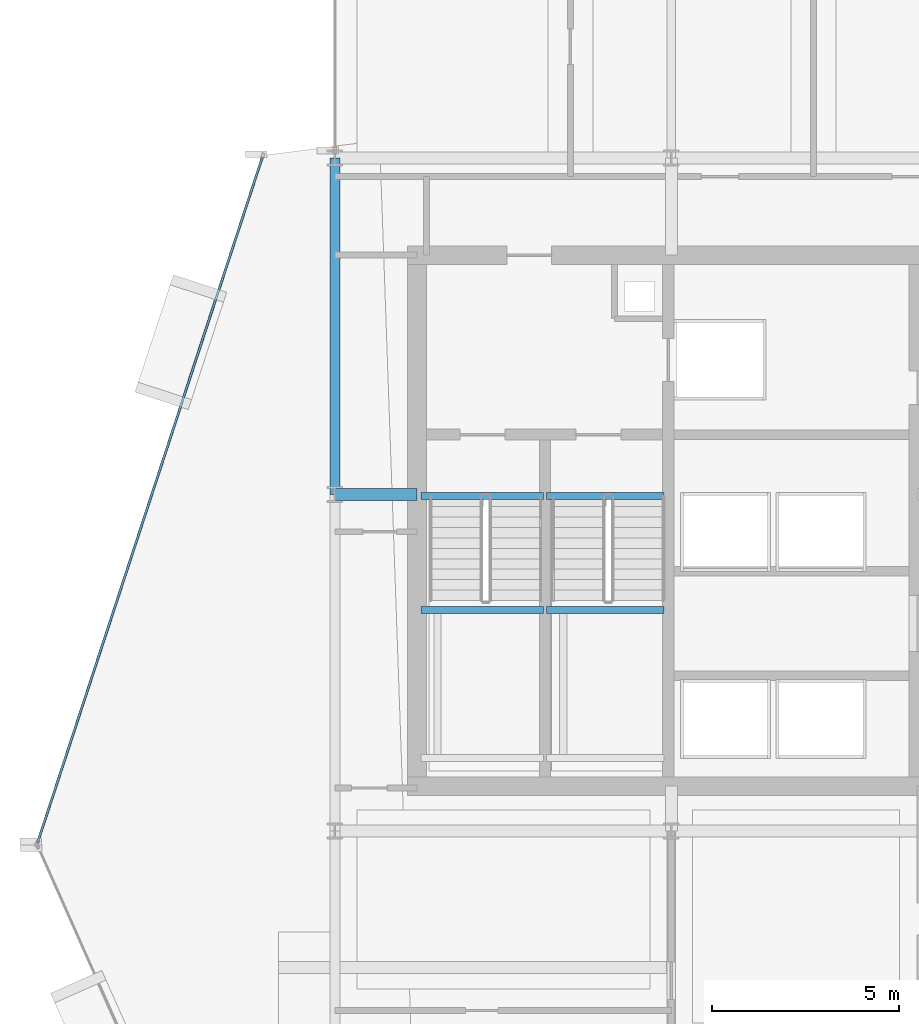
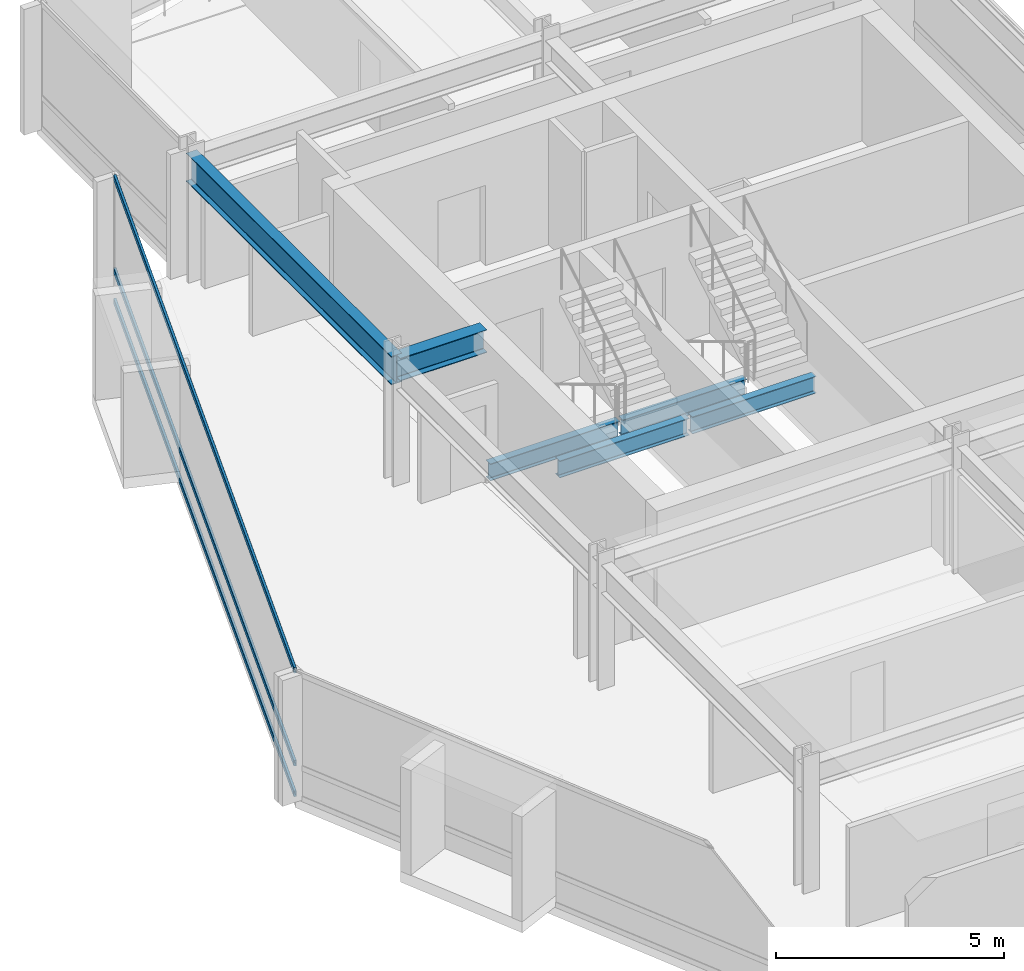
# One storey, part 15 of 29: 6 beams, 3 members, 1 element without a shape of its own.
"""IFC4 building model written with IfcOpenShell, lengths in metres."""

import ifcopenshell
import ifcopenshell.guid

model = None  # the IFC model being written
_history = None  # IfcOwnerHistory: only IFC2X3 demands one
_inside = {}  # id of a spatial element -> (the spatial element, [elements in it])
_under = {}  # id of a project, library or spatial element -> (it, [spatial elements below it])
_declared = {}  # id of a project -> (the project, [libraries it declares])
_typed = {}  # id of a type object -> (the type object, [elements of that type])
_made_of = {}  # id of a material, layer set ... -> (it, [elements and type objects made of it])


def new_model(schema):
    """Start an empty IFC model of exactly this schema.

    Asked for "IFC4X3", IfcOpenShell would pick the latest addendum, in which some entities
    have other attributes; the version numbers below select the first issue.
    IFC2X3 requires an IfcOwnerHistory on every rooted entity: one is made here for all.
    """
    global model, _history
    if schema == "IFC4X3":
        model = ifcopenshell.file(schema_version=(4, 3, 0, 0))
    else:
        model = ifcopenshell.file(schema=schema)
    _inside.clear()
    _under.clear()
    _declared.clear()
    _typed.clear()
    _made_of.clear()
    _history = None
    if model.schema == "IFC2X3":
        org = make("IfcOrganization", Name="unknown")
        user = make(
            "IfcPersonAndOrganization",
            ThePerson=make("IfcPerson", FamilyName="unknown"),
            TheOrganization=org,
        )
        app = make(
            "IfcApplication",
            ApplicationDeveloper=org,
            Version="unknown",
            ApplicationFullName="unknown",
            ApplicationIdentifier="unknown",
        )
        _history = make(
            "IfcOwnerHistory",
            OwningUser=user,
            OwningApplication=app,
            ChangeAction="ADDED",
            CreationDate=0,
        )
    return model


def make(cls, **values):
    """One entity of the class cls with the attributes given. An attribute that is None is left unset."""
    return model.create_entity(
        cls, **{name: value for name, value in values.items() if value is not None}
    )


def rooted(cls, **values):
    """An entity with a GlobalId (a new one), such as an element, a storey or a relation."""
    return make(cls, GlobalId=ifcopenshell.guid.new(), OwnerHistory=_history, **values)


def si_unit(unit_type, name, prefix=None):
    """IfcSIUnit, for example si_unit("LENGTHUNIT", "METRE", prefix="MILLI")."""
    return make("IfcSIUnit", UnitType=unit_type, Prefix=prefix, Name=name)


def assignment(units):
    """IfcUnitAssignment: the units of a project."""
    return None if units is None else make("IfcUnitAssignment", Units=units)


def point(xyz):
    """IfcCartesianPoint."""
    return None if xyz is None else make("IfcCartesianPoint", Coordinates=xyz)


def direction(xyz):
    """IfcDirection."""
    return None if xyz is None else make("IfcDirection", DirectionRatios=xyz)


def frame(location, z_axis=None, x_axis=None):
    """IfcAxis2Placement3D, a coordinate frame: its origin and axes. An axis left out is left unset."""
    return make(
        "IfcAxis2Placement3D",
        Location=point(location),
        Axis=direction(z_axis),
        RefDirection=direction(x_axis),
    )


def frame_2d(location, x_axis=None):
    """IfcAxis2Placement2D, a coordinate frame in the plane: its origin and x axis."""
    return make(
        "IfcAxis2Placement2D", Location=point(location), RefDirection=direction(x_axis)
    )


def origin():
    """The frame at (0, 0, 0) with its axes left unset."""
    return frame((0.0, 0.0, 0.0))


def origin_2d():
    """The frame at (0, 0) in the plane with its x axis left unset."""
    return frame_2d((0.0, 0.0))


def place(relative_to, where):
    """IfcLocalPlacement: puts the frame where relative to a parent placement (None: the world)."""
    return make(
        "IfcLocalPlacement", PlacementRelTo=relative_to, RelativePlacement=where
    )


def context(
    kind, dimensions, precision=None, world=None, true_north=None, identifier=None
):
    """IfcGeometricRepresentationContext, for example the 3D "Model" context."""
    return make(
        "IfcGeometricRepresentationContext",
        ContextIdentifier=identifier,
        ContextType=kind,
        CoordinateSpaceDimension=dimensions,
        Precision=precision,
        WorldCoordinateSystem=world,
        TrueNorth=true_north,
    )


def subcontext(parent, identifier, kind, view, scale=None):
    """IfcGeometricRepresentationSubContext, for example "Body" below "Model"."""
    return make(
        "IfcGeometricRepresentationSubContext",
        ContextIdentifier=identifier,
        ContextType=kind,
        ParentContext=parent,
        TargetScale=scale,
        TargetView=view,
    )


def project(units=None, contexts=None):
    """IfcProject with its units and contexts."""
    return rooted(
        "IfcProject",
        Name="project",
        RepresentationContexts=contexts,
        UnitsInContext=assignment(units),
    )


def spatial(cls, under=None, at=None, **own):
    """A site, building, storey or space (cls), placed at a placement, below another one or the project."""
    s = rooted(cls, ObjectPlacement=at, **own)
    if under is not None:
        _under.setdefault(under.id(), (under, []))[1].append(s)
    return s


def profile(cls, at=None, kind="AREA", **sizes):
    """A parametric profile (cls). Its sizes go by their IFC names, for example OverallWidth=200.0."""
    return make(cls, ProfileType=kind, Position=at, **sizes)


def hollow_rectangle(**sizes):
    """IfcRectangleHollowProfileDef."""
    return profile("IfcRectangleHollowProfileDef", **sizes)


def i_section(**sizes):
    """IfcIShapeProfileDef."""
    return profile("IfcIShapeProfileDef", **sizes)


def extrude(swept, where, along, depth):
    """IfcExtrudedAreaSolid: the profile swept, set in the frame where, extruded along a direction by depth."""
    return make(
        "IfcExtrudedAreaSolid",
        SweptArea=swept,
        Position=where,
        ExtrudedDirection=direction(along),
        Depth=depth,
    )


def shape(context_of_items, identifier, shape_type, items):
    """IfcShapeRepresentation: the items that make up one representation, for example the "Body"."""
    return make(
        "IfcShapeRepresentation",
        ContextOfItems=context_of_items,
        RepresentationIdentifier=identifier,
        RepresentationType=shape_type,
        Items=items,
    )


def material(Name=None, Category=None):
    """IfcMaterial."""
    return make("IfcMaterial", Name=Name, Category=Category)


def layer(
    of_material, thickness, ventilated=None, Name=None, Category=None, Priority=None
):
    """IfcMaterialLayer: one layer of a wall or slab, of a material (None: an air gap)."""
    return make(
        "IfcMaterialLayer",
        Material=of_material,
        LayerThickness=thickness,
        IsVentilated=ventilated,
        Name=Name,
        Category=Category,
        Priority=Priority,
    )


def layer_set(layers, Name=None):
    """IfcMaterialLayerSet."""
    return make("IfcMaterialLayerSet", MaterialLayers=layers, LayerSetName=Name)


def material_profile(
    of_material, cross_section, Name=None, Category=None, Priority=None
):
    """IfcMaterialProfile: a cross section and its material."""
    return make(
        "IfcMaterialProfile",
        Name=Name,
        Material=of_material,
        Profile=cross_section,
        Priority=Priority,
        Category=Category,
    )


def profile_set(profiles, Name=None, composite=None):
    """IfcMaterialProfileSet."""
    return make(
        "IfcMaterialProfileSet",
        Name=Name,
        MaterialProfiles=profiles,
        CompositeProfile=composite,
    )


def made_of(thing, what):
    """Note that an element or type object is made of a material, layer set ...; save() writes the relation."""
    if what is not None:
        _made_of.setdefault(what.id(), (what, []))[1].append(thing)
    return thing


def type_object(cls, material=None, **own):
    """A type object (cls), such as IfcWallType, which elements share."""
    return made_of(rooted(cls, **own), material)


def element(
    cls,
    number,
    at=None,
    inside=None,
    cuts=None,
    type_object=None,
    material=None,
    context=None,
    identifier="Body",
    shape_type=None,
    held_by="IfcProductDefinitionShape",
    body=None,
    shapes=None,
    **own,
):
    """One element of the class cls, such as IfcWall. Its Tag is "e" and its number.

    at: its placement. inside: the storey or other place that contains it. cuts: it is an
    opening in that element (IfcRelVoidsElement). A single representation is given by context,
    identifier, shape_type and body (its items); several are given by shapes. held_by: the class
    of the entity that holds the representations. save() writes the other relations.
    """
    e = rooted(cls, Tag="e%d" % number, ObjectPlacement=at, **own)
    if body is not None:
        shapes = [shape(context, identifier, shape_type, body)]
    if shapes is not None:
        e.Representation = make(held_by, Representations=shapes)
    if inside is not None:
        _inside.setdefault(inside.id(), (inside, []))[1].append(e)
    if cuts is not None:
        rooted(
            "IfcRelVoidsElement", RelatingBuildingElement=cuts, RelatedOpeningElement=e
        )
    if type_object is not None:
        _typed.setdefault(type_object.id(), (type_object, []))[1].append(e)
    return made_of(e, material)


def aggregate(whole, parts):
    """IfcRelAggregates: a whole, such as a stair, and the parts it consists of."""
    return rooted("IfcRelAggregates", RelatingObject=whole, RelatedObjects=parts)


def save(model, path):
    """Write the relations noted so far, then the file.

    IfcRelAggregates (storeys below a building ...), IfcRelContainedInSpatialStructure (elements
    in a storey), IfcRelDefinesByType, IfcRelAssociatesMaterial and IfcRelDeclares: one each for
    every whole, place, type object, material and project.
    """
    for whole, parts in _under.values():
        aggregate(whole, parts)
    for where, things in _inside.values():
        rooted(
            "IfcRelContainedInSpatialStructure",
            RelatedElements=things,
            RelatingStructure=where,
        )
    for kind, things in _typed.values():
        rooted("IfcRelDefinesByType", RelatedObjects=things, RelatingType=kind)
    for what, things in _made_of.values():
        rooted("IfcRelAssociatesMaterial", RelatedObjects=things, RelatingMaterial=what)
    for by, libraries in _declared.values():
        rooted("IfcRelDeclares", RelatingContext=by, RelatedDefinitions=libraries)
    model.write(path)


model = new_model("IFC4")

# Units and contexts
model_context = context("Model", 3, precision=1e-05, world=origin(), true_north=direction((0.0, 1.0)))
body_context = subcontext(model_context, "Body", "Model", "MODEL_VIEW")
ifc_project = project(units=[si_unit("LENGTHUNIT", "METRE"), si_unit("AREAUNIT", "SQUARE_METRE"), si_unit("VOLUMEUNIT", "CUBIC_METRE"), si_unit("PLANEANGLEUNIT", "RADIAN"), si_unit("MASSUNIT", "GRAM", prefix="KILO")], contexts=[model_context])

# Site, building, storey
site_placement = place(None, origin())
site = spatial("IfcSite", under=ifc_project, at=site_placement, CompositionType="ELEMENT")
building_placement = place(site_placement, origin())
building = spatial("IfcBuilding", under=site, at=building_placement, Name="Solvaryn Broadcast Tower", CompositionType="ELEMENT")
storey_placement = place(building_placement, frame((0.0, 0.0, 165.5)))
storey = spatial("IfcBuildingStorey", under=building, at=storey_placement, Name="L41", CompositionType="ELEMENT", Elevation=165.5)

# Beams
ifc_material_1 = material(Name="Steel ASTM A992 Grade 50", Category="steel")
ifc_material_profile_1 = material_profile(ifc_material_1, i_section(OverallWidth=0.323974609375, OverallDepth=0.611083984375, WebThickness=0.0126953125, FlangeThickness=0.01904296875, FilletRadius=0.014892578125, at=origin_2d()))
ifc_profile_set_1 = profile_set([ifc_material_profile_1], Name="Steel ASTM A992 Grade 50")
beam_type_1 = type_object("IfcBeamType", Name="BM-B1-W24X104", PredefinedType="BEAM", material=ifc_profile_set_1)
beam_1_placement = place(storey_placement, frame((9.0, 36.0, 3.064453125), z_axis=(1.0, 0.0, 0.0), x_axis=(0.0, 1.0, 0.0)))
element("IfcBeam", 1, at=beam_1_placement, inside=storey, type_object=beam_type_1, Name="L41 Core Tie Beam CTW1", PredefinedType="BEAM", context=body_context, shape_type="SweptSolid", body=[
    extrude(i_section(OverallWidth=0.323974609375, OverallDepth=0.611083984375, WebThickness=0.0126953125, FlangeThickness=0.01904296875, FilletRadius=0.014892578125, at=origin_2d()), origin(), (0.0, 0.0, 1.0), 2.199951171875),
])
ifc_material_2 = material(Name="Steel ASTM A992 Grade 50", Category="steel")
ifc_material_profile_2 = material_profile(ifc_material_2, i_section(OverallWidth=0.18994140625, OverallDepth=0.45703125, WebThickness=0.009033203125, FlangeThickness=0.014404296875, FilletRadius=0.011962890625, at=origin_2d()))
ifc_profile_set_2 = profile_set([ifc_material_profile_2], Name="Steel ASTM A992 Grade 50")
beam_type_2 = type_object("IfcBeamType", Name="BM-B4-W18X50", PredefinedType="BEAM", material=ifc_profile_set_2)
for number, where, z_axis, x_axis, name in (
    (2, (11.300048828125, 35.9599609375, -0.508544921875), (1.0, 0.0, 0.0), (0.0, 1.0, 0.0), "L41 ST1 Stair Well Trimmer Beam"),
    (3, (11.300048828125, 32.909912109375, 1.42138671875), (1.0, 0.0, 0.0), (0.0, 1.0, 0.0), "L41 ST1 Landing Support Beam 1B"),
):
    element("IfcBeam", number, at=place(storey_placement, frame(where, z_axis=z_axis, x_axis=x_axis)), inside=storey, type_object=beam_type_2, Name=name, PredefinedType="BEAM", context=body_context, shape_type="SweptSolid", body=[
        extrude(i_section(OverallWidth=0.18994140625, OverallDepth=0.45703125, WebThickness=0.009033203125, FlangeThickness=0.014404296875, FilletRadius=0.011962890625, at=origin_2d()), origin(), (0.0, 0.0, 1.0), 3.280029296875),
    ])
for number, where, z_axis, x_axis, name in (
    (4, (14.659912109375, 35.9599609375, -0.508544921875), (1.0, 0.0, 0.0), (0.0, 1.0, 0.0), "L41 ST2 Stair Well Trimmer Beam"),
    (5, (14.659912109375, 32.909912109375, 1.42138671875), (1.0, 0.0, 0.0), (0.0, 1.0, 0.0), "L41 ST2 Landing Support Beam 1B"),
):
    element("IfcBeam", number, at=place(storey_placement, frame(where, z_axis=z_axis, x_axis=x_axis)), inside=storey, type_object=beam_type_2, Name=name, PredefinedType="BEAM", context=body_context, shape_type="SweptSolid", body=[
        extrude(i_section(OverallWidth=0.18994140625, OverallDepth=0.45703125, WebThickness=0.009033203125, FlangeThickness=0.014404296875, FilletRadius=0.011962890625, at=origin_2d()), origin(), (0.0, 0.0, 1.0), 3.14013671875),
    ])
ifc_material_3 = material(Name="Steel ASTM A992 Grade 50", Category="steel")
ifc_material_profile_3 = material_profile(ifc_material_3, i_section(OverallWidth=0.26708984375, OverallDepth=0.76611328125, WebThickness=0.014892578125, FlangeThickness=0.023681640625, FilletRadius=0.01806640625, at=origin_2d()))
ifc_profile_set_3 = profile_set([ifc_material_profile_3], Name="Steel ASTM A992 Grade 50")
beam_type_3 = type_object("IfcBeamType", Name="BM-SP2-W30X124", PredefinedType="USERDEFINED", material=ifc_profile_set_3)
beam_2_placement = place(storey_placement, frame((9.0, 36.0, 2.987060546875), z_axis=(0.0, 1.0, 0.0), x_axis=(-1.0, 0.0, 0.0)))
element("IfcBeam", 6, at=beam_2_placement, inside=storey, type_object=beam_type_3, Name="L41 Spandrel Beam Y (36-45 @ X=9)", ObjectType="SPANDREL", PredefinedType="USERDEFINED", context=body_context, shape_type="SweptSolid", body=[
    extrude(i_section(OverallWidth=0.26708984375, OverallDepth=0.76611328125, WebThickness=0.014892578125, FlangeThickness=0.023681640625, FilletRadius=0.01806640625, at=origin_2d()), origin(), (0.0, 0.0, 1.0), 9.0),
])

# Curtain wall, members
ifc_material_4 = material(Name="Aluminium and Terracotta Unitised Curtain Wall", Category="masonry")
ifc_layer = layer(ifc_material_4, 0.199951171875)
ifc_layer_set = layer_set([ifc_layer], Name="CW-SYS2-LOWMID")
curtain_wall_type = type_object("IfcCurtainWallType", Name="CW-SYS2-LOWMID", PredefinedType="NOTDEFINED", material=ifc_layer_set)
curtain_wall_placement = place(storey_placement, origin())
curtain_wall = element("IfcCurtainWall", 7, at=curtain_wall_placement, inside=storey, type_object=curtain_wall_type, Name="L41 Curtain Wall DR1", PredefinedType="NOTDEFINED")
ifc_material_5 = material(Name="Anodised Aluminium 6063-T6", Category="aluminium")
ifc_material_profile_4 = material_profile(ifc_material_5, hollow_rectangle(XDim=0.06494140625, YDim=0.14990234375, WallThickness=0.00390625, InnerFilletRadius=0.00390625, OuterFilletRadius=0.008056640625, at=origin_2d()))
ifc_profile_set_4 = profile_set([ifc_material_profile_4], Name="Anodised Aluminium 6063-T6")
member_type = type_object("IfcMemberType", Name="CW-TRN-150", PredefinedType="USERDEFINED", material=ifc_profile_set_4)
member_1_placement = place(storey_placement, frame((7.060302734375, 45.010009765625, 0.030029296875), z_axis=(-0.31164571445, -0.950198373323, 0.0), x_axis=(0.950198373323, -0.31164571445, 0.0)))
member_1 = element("IfcMember", 8, at=member_1_placement, type_object=member_type, Name="CWS2 transom 1.1", ObjectType="TRANSOM", PredefinedType="USERDEFINED", context=body_context, shape_type="SweptSolid", body=[
    extrude(hollow_rectangle(XDim=0.06494140625, YDim=0.14990234375, WallThickness=0.00390625, InnerFilletRadius=0.00390625, OuterFilletRadius=0.008056640625, at=origin_2d()), origin(), (0.0, 0.0, 1.0), 19.27685546875),
])
member_2_placement = place(storey_placement, frame((7.060302734375, 45.010009765625, 0.85009765625), z_axis=(-0.31164571445, -0.950198373323, 0.0), x_axis=(0.950198373323, -0.31164571445, 0.0)))
member_2 = element("IfcMember", 9, at=member_2_placement, type_object=member_type, Name="CWS2 transom 1.2", ObjectType="TRANSOM", PredefinedType="USERDEFINED", context=body_context, shape_type="SweptSolid", body=[
    extrude(hollow_rectangle(XDim=0.06494140625, YDim=0.14990234375, WallThickness=0.00390625, InnerFilletRadius=0.00390625, OuterFilletRadius=0.008056640625, at=origin_2d()), origin(), (0.0, 0.0, 1.0), 19.27685546875),
])
member_3_placement = place(storey_placement, frame((7.060302734375, 45.010009765625, 3.340087890625), z_axis=(-0.31164571445, -0.950198373323, 0.0), x_axis=(0.950198373323, -0.31164571445, 0.0)))
member_3 = element("IfcMember", 10, at=member_3_placement, type_object=member_type, Name="CWS2 transom 1.3", ObjectType="TRANSOM", PredefinedType="USERDEFINED", context=body_context, shape_type="SweptSolid", body=[
    extrude(hollow_rectangle(XDim=0.06494140625, YDim=0.14990234375, WallThickness=0.00390625, InnerFilletRadius=0.00390625, OuterFilletRadius=0.008056640625, at=origin_2d()), origin(), (0.0, 0.0, 1.0), 19.27685546875),
])
aggregate(curtain_wall, [member_1, member_2, member_3])

save(model, "model.ifc")
